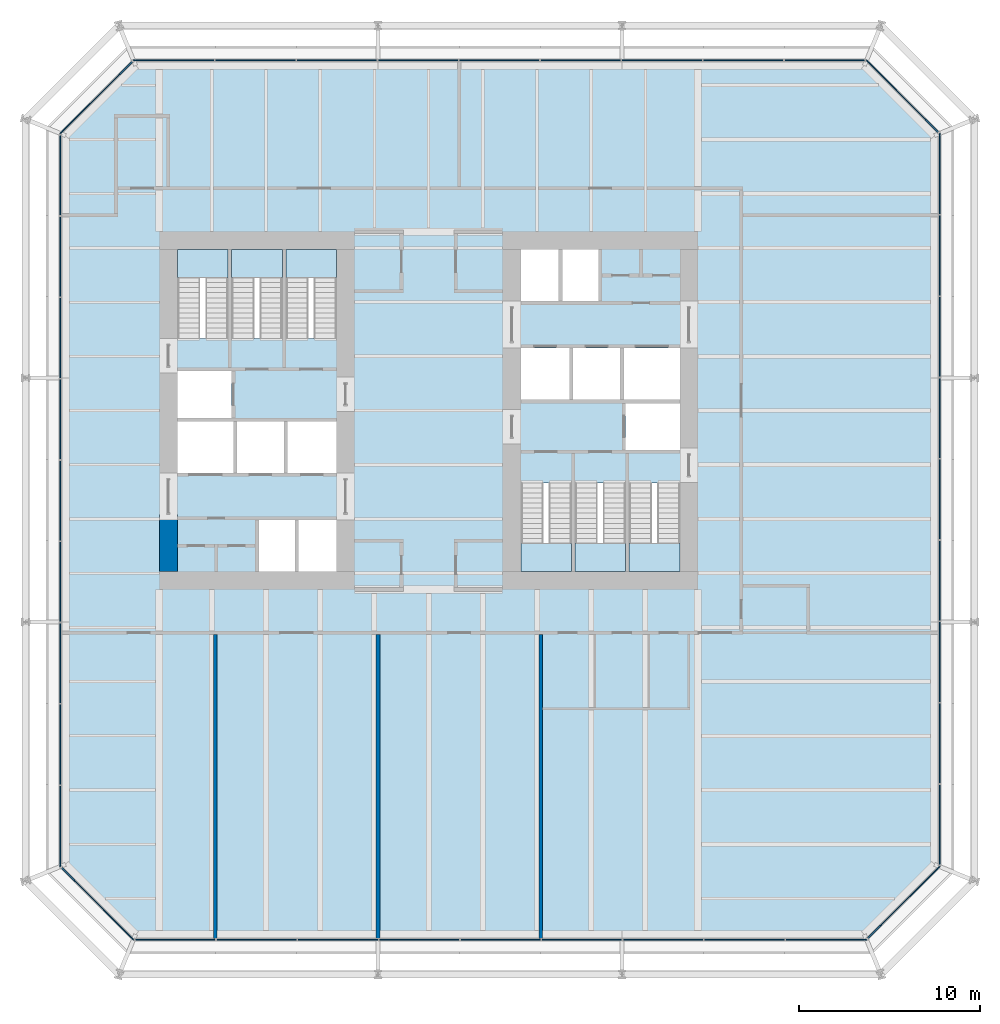
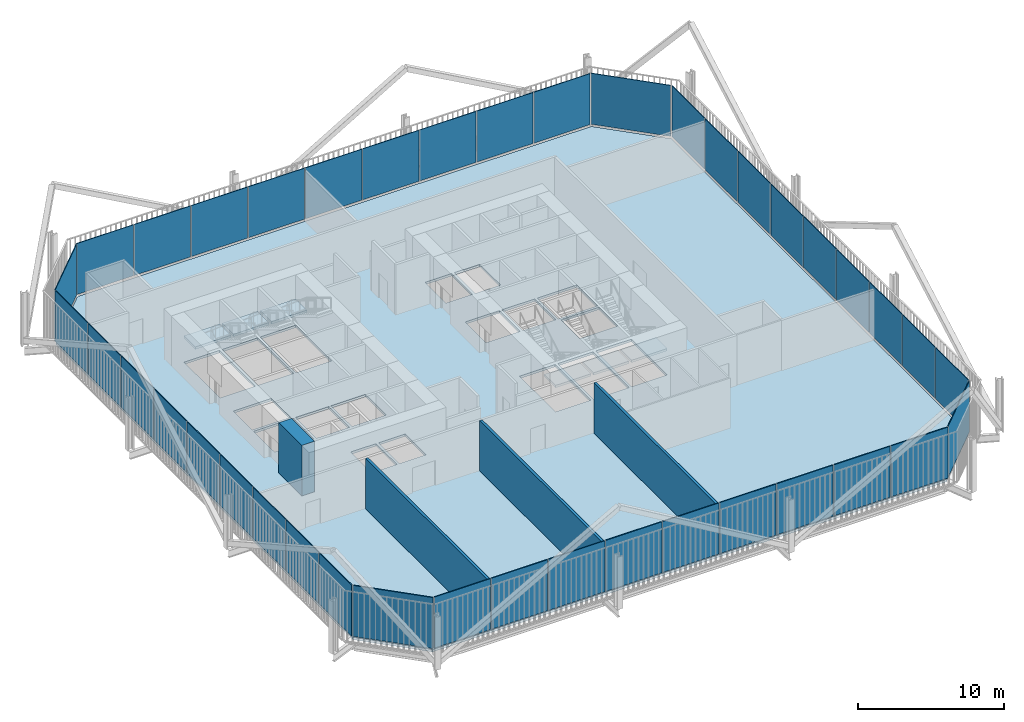
# One storey, part 16 of 21: 40 plates, 7 slabs, 4 walls, 14 elements without a shape of their own.
"""IFC4 building model written with IfcOpenShell, lengths in metres."""

from ifc_helpers import new_model, si_unit, direction, frame, frame_2d, origin, place, context, subcontext, project, spatial, polyline, rectangle, outline, extrude, material, layer, layer_set, type_object, element, aggregate, save


model = new_model("IFC4")

# Units and contexts
model_context = context("Model", 3, precision=1e-05, world=origin(), true_north=direction((0.0, 1.0)))
body_context = subcontext(model_context, "Body", "Model", "MODEL_VIEW")
ifc_project = project(units=[si_unit("LENGTHUNIT", "METRE"), si_unit("AREAUNIT", "SQUARE_METRE"), si_unit("VOLUMEUNIT", "CUBIC_METRE"), si_unit("PLANEANGLEUNIT", "RADIAN"), si_unit("MASSUNIT", "GRAM", prefix="KILO")], contexts=[model_context])

# Site, building, storey
site_placement = place(None, origin())
site = spatial("IfcSite", under=ifc_project, at=site_placement, CompositionType="ELEMENT")
building_placement = place(site_placement, origin())
building = spatial("IfcBuilding", under=site, at=building_placement, Name="Millrace Tower", CompositionType="ELEMENT")
storey_placement = place(building_placement, frame((0.0, 0.0, 104.0)))
storey = spatial("IfcBuildingStorey", under=building, at=storey_placement, Name="L23", CompositionType="ELEMENT", Elevation=104.0)

# Curtain wall, plate
ifc_material_1 = material(Name="Aluminium and glass", Category="aluminium")
ifc_layer_1 = layer(ifc_material_1, 0.14990234375)
ifc_layer_set_1 = layer_set([ifc_layer_1], Name="Aluminium and glass")
curtain_wall_type = type_object("IfcCurtainWallType", Name="CW-3 telecom floor curtain wall", PredefinedType="NOTDEFINED", material=ifc_layer_set_1)
placement_1 = place(storey_placement, origin())
curtain_wall_1 = element("IfcCurtainWall", 1, at=placement_1, inside=storey, type_object=curtain_wall_type, Name="Curtain wall B-F01 L23", PredefinedType="NOTDEFINED")
ifc_material_2 = material(Name="Glass", Category="glass")
ifc_layer_2 = layer(ifc_material_2, 0.06005859375)
ifc_layer_set_2 = layer_set([ifc_layer_2], Name="Glass")
plate_type = type_object("IfcPlateType", Name="CW-3 telecom floor curtain wall triple-glazed panel with spandrel", PredefinedType="CURTAIN_PANEL", material=ifc_layer_set_2)
placement_2 = place(storey_placement, frame((0.0, 0.0, 0.14990234375)))
plate_1 = element("IfcPlate", 2, at=placement_2, type_object=plate_type, Name="CW3 panel B-F01.1", PredefinedType="CURTAIN_PANEL", context=body_context, shape_type="SweptSolid", body=[
    extrude(outline(polyline([(-20.328369140625, -25.3203125), (-16.343505859375, -29.304931640625), (-16.318603515625, -29.2451171875), (-20.285888671875, -25.27783203125), (-20.328369140625, -25.3203125)])), origin(), (0.0, 0.0, 1.0), 4.25),
])
aggregate(curtain_wall_1, [plate_1])

# Curtain wall, plates
curtain_wall_2 = element("IfcCurtainWall", 3, at=placement_1, inside=storey, type_object=curtain_wall_type, Name="Curtain wall B-F02 L23", PredefinedType="NOTDEFINED")
plate_2 = element("IfcPlate", 4, at=placement_2, type_object=plate_type, Name="CW3 panel B-F02.1", PredefinedType="CURTAIN_PANEL", context=body_context, shape_type="SweptSolid", body=[
    extrude(outline(polyline([(-16.235107421875, -29.304931640625), (-11.800048828125, -29.304931640625), (-11.800048828125, -29.2451171875), (-16.235107421875, -29.2451171875), (-16.235107421875, -29.304931640625)])), origin(), (0.0, 0.0, 1.0), 4.25),
])
plate_3 = element("IfcPlate", 5, at=placement_2, type_object=plate_type, Name="CW3 panel B-F02.2", PredefinedType="CURTAIN_PANEL", context=body_context, shape_type="SweptSolid", body=[
    extrude(outline(polyline([(-11.735107421875, -29.304931640625), (-7.300048828125, -29.304931640625), (-7.300048828125, -29.2451171875), (-11.735107421875, -29.2451171875), (-11.735107421875, -29.304931640625)])), origin(), (0.0, 0.0, 1.0), 4.25),
])
plate_4 = element("IfcPlate", 6, at=placement_2, type_object=plate_type, Name="CW3 panel B-F02.3", PredefinedType="CURTAIN_PANEL", context=body_context, shape_type="SweptSolid", body=[
    extrude(outline(polyline([(-7.235107421875, -29.304931640625), (-2.800048828125, -29.304931640625), (-2.800048828125, -29.2451171875), (-7.235107421875, -29.2451171875), (-7.235107421875, -29.304931640625)])), origin(), (0.0, 0.0, 1.0), 4.25),
])
plate_5 = element("IfcPlate", 7, at=placement_2, type_object=plate_type, Name="CW3 panel B-F02.4", PredefinedType="CURTAIN_PANEL", context=body_context, shape_type="SweptSolid", body=[
    extrude(outline(polyline([(-2.735107421875, -29.304931640625), (1.699951171875, -29.304931640625), (1.699951171875, -29.2451171875), (-2.735107421875, -29.2451171875), (-2.735107421875, -29.304931640625)])), origin(), (0.0, 0.0, 1.0), 4.25),
])
plate_6 = element("IfcPlate", 8, at=placement_2, type_object=plate_type, Name="CW3 panel B-F02.5", PredefinedType="CURTAIN_PANEL", context=body_context, shape_type="SweptSolid", body=[
    extrude(outline(polyline([(1.764892578125, -29.304931640625), (6.199951171875, -29.304931640625), (6.199951171875, -29.2451171875), (1.764892578125, -29.2451171875), (1.764892578125, -29.304931640625)])), origin(), (0.0, 0.0, 1.0), 4.25),
])
plate_7 = element("IfcPlate", 9, at=placement_2, type_object=plate_type, Name="CW3 panel B-F02.6", PredefinedType="CURTAIN_PANEL", context=body_context, shape_type="SweptSolid", body=[
    extrude(outline(polyline([(6.264892578125, -29.304931640625), (10.699951171875, -29.304931640625), (10.699951171875, -29.2451171875), (6.264892578125, -29.2451171875), (6.264892578125, -29.304931640625)])), origin(), (0.0, 0.0, 1.0), 4.25),
])
plate_8 = element("IfcPlate", 10, at=placement_2, type_object=plate_type, Name="CW3 panel B-F02.7", PredefinedType="CURTAIN_PANEL", context=body_context, shape_type="SweptSolid", body=[
    extrude(outline(polyline([(10.764892578125, -29.304931640625), (15.199951171875, -29.304931640625), (15.199951171875, -29.2451171875), (10.764892578125, -29.2451171875), (10.764892578125, -29.304931640625)])), origin(), (0.0, 0.0, 1.0), 4.25),
])
plate_9 = element("IfcPlate", 11, at=placement_2, type_object=plate_type, Name="CW3 panel B-F02.8", PredefinedType="CURTAIN_PANEL", context=body_context, shape_type="SweptSolid", body=[
    extrude(outline(polyline([(15.264892578125, -29.304931640625), (19.699951171875, -29.304931640625), (19.699951171875, -29.2451171875), (15.264892578125, -29.2451171875), (15.264892578125, -29.304931640625)])), origin(), (0.0, 0.0, 1.0), 4.25),
])
plate_10 = element("IfcPlate", 12, at=placement_2, type_object=plate_type, Name="CW3 panel B-F02.9", PredefinedType="CURTAIN_PANEL", context=body_context, shape_type="SweptSolid", body=[
    extrude(outline(polyline([(19.764892578125, -29.304931640625), (24.243408203125, -29.304931640625), (24.21875, -29.2451171875), (19.764892578125, -29.2451171875), (19.764892578125, -29.304931640625)])), origin(), (0.0, 0.0, 1.0), 4.25),
])
aggregate(curtain_wall_2, [plate_2, plate_3, plate_4, plate_5, plate_6, plate_7, plate_8, plate_9, plate_10])

# Curtain wall, plate
curtain_wall_3 = element("IfcCurtainWall", 13, at=placement_1, inside=storey, type_object=curtain_wall_type, Name="Curtain wall B-F03 L23", PredefinedType="NOTDEFINED")
plate_11 = element("IfcPlate", 14, at=placement_2, type_object=plate_type, Name="CW3 panel B-F03.1", PredefinedType="CURTAIN_PANEL", context=body_context, shape_type="SweptSolid", body=[
    extrude(outline(polyline([(24.3203125, -29.228271484375), (28.304931640625, -25.243408203125), (28.2451171875, -25.21875), (24.27783203125, -29.185791015625), (24.3203125, -29.228271484375)])), origin(), (0.0, 0.0, 1.0), 4.25),
])
aggregate(curtain_wall_3, [plate_11])

# Curtain wall, plates
curtain_wall_4 = element("IfcCurtainWall", 15, at=placement_1, inside=storey, type_object=curtain_wall_type, Name="Curtain wall B-F04 L23", PredefinedType="NOTDEFINED")
plate_12 = element("IfcPlate", 16, at=placement_2, type_object=plate_type, Name="CW3 panel B-F04.1", PredefinedType="CURTAIN_PANEL", context=body_context, shape_type="SweptSolid", body=[
    extrude(outline(polyline([(28.304931640625, -25.135009765625), (28.304931640625, -20.699951171875), (28.2451171875, -20.699951171875), (28.2451171875, -25.135009765625), (28.304931640625, -25.135009765625)])), origin(), (0.0, 0.0, 1.0), 4.25),
])
plate_13 = element("IfcPlate", 17, at=placement_2, type_object=plate_type, Name="CW3 panel B-F04.2", PredefinedType="CURTAIN_PANEL", context=body_context, shape_type="SweptSolid", body=[
    extrude(outline(polyline([(28.304931640625, -20.635009765625), (28.304931640625, -16.199951171875), (28.2451171875, -16.199951171875), (28.2451171875, -20.635009765625), (28.304931640625, -20.635009765625)])), origin(), (0.0, 0.0, 1.0), 4.25),
])
plate_14 = element("IfcPlate", 18, at=placement_2, type_object=plate_type, Name="CW3 panel B-F04.3", PredefinedType="CURTAIN_PANEL", context=body_context, shape_type="SweptSolid", body=[
    extrude(outline(polyline([(28.304931640625, -16.135009765625), (28.304931640625, -11.699951171875), (28.2451171875, -11.699951171875), (28.2451171875, -16.135009765625), (28.304931640625, -16.135009765625)])), origin(), (0.0, 0.0, 1.0), 4.25),
])
plate_15 = element("IfcPlate", 19, at=placement_2, type_object=plate_type, Name="CW3 panel B-F04.4", PredefinedType="CURTAIN_PANEL", context=body_context, shape_type="SweptSolid", body=[
    extrude(outline(polyline([(28.304931640625, -11.635009765625), (28.304931640625, -7.199951171875), (28.2451171875, -7.199951171875), (28.2451171875, -11.635009765625), (28.304931640625, -11.635009765625)])), origin(), (0.0, 0.0, 1.0), 4.25),
])
plate_16 = element("IfcPlate", 20, at=placement_2, type_object=plate_type, Name="CW3 panel B-F04.5", PredefinedType="CURTAIN_PANEL", context=body_context, shape_type="SweptSolid", body=[
    extrude(outline(polyline([(28.304931640625, -7.135009765625), (28.304931640625, -2.699951171875), (28.2451171875, -2.699951171875), (28.2451171875, -7.135009765625), (28.304931640625, -7.135009765625)])), origin(), (0.0, 0.0, 1.0), 4.25),
])
plate_17 = element("IfcPlate", 21, at=placement_2, type_object=plate_type, Name="CW3 panel B-F04.6", PredefinedType="CURTAIN_PANEL", context=body_context, shape_type="SweptSolid", body=[
    extrude(outline(polyline([(28.304931640625, -2.635009765625), (28.304931640625, 1.800048828125), (28.2451171875, 1.800048828125), (28.2451171875, -2.635009765625), (28.304931640625, -2.635009765625)])), origin(), (0.0, 0.0, 1.0), 4.25),
])
plate_18 = element("IfcPlate", 22, at=placement_2, type_object=plate_type, Name="CW3 panel B-F04.7", PredefinedType="CURTAIN_PANEL", context=body_context, shape_type="SweptSolid", body=[
    extrude(outline(polyline([(28.304931640625, 1.864990234375), (28.304931640625, 6.300048828125), (28.2451171875, 6.300048828125), (28.2451171875, 1.864990234375), (28.304931640625, 1.864990234375)])), origin(), (0.0, 0.0, 1.0), 4.25),
])
plate_19 = element("IfcPlate", 23, at=placement_2, type_object=plate_type, Name="CW3 panel B-F04.8", PredefinedType="CURTAIN_PANEL", context=body_context, shape_type="SweptSolid", body=[
    extrude(outline(polyline([(28.304931640625, 6.364990234375), (28.304931640625, 10.800048828125), (28.2451171875, 10.800048828125), (28.2451171875, 6.364990234375), (28.304931640625, 6.364990234375)])), origin(), (0.0, 0.0, 1.0), 4.25),
])
plate_20 = element("IfcPlate", 24, at=placement_2, type_object=plate_type, Name="CW3 panel B-F04.9", PredefinedType="CURTAIN_PANEL", context=body_context, shape_type="SweptSolid", body=[
    extrude(outline(polyline([(28.304931640625, 10.864990234375), (28.304931640625, 15.343505859375), (28.2451171875, 15.318603515625), (28.2451171875, 10.864990234375), (28.304931640625, 10.864990234375)])), origin(), (0.0, 0.0, 1.0), 4.25),
])
aggregate(curtain_wall_4, [plate_12, plate_13, plate_14, plate_15, plate_16, plate_17, plate_18, plate_19, plate_20])

# Curtain wall, plate
curtain_wall_5 = element("IfcCurtainWall", 25, at=placement_1, inside=storey, type_object=curtain_wall_type, Name="Curtain wall B-F05 L23", PredefinedType="NOTDEFINED")
plate_21 = element("IfcPlate", 26, at=placement_2, type_object=plate_type, Name="CW3 panel B-F05.1", PredefinedType="CURTAIN_PANEL", context=body_context, shape_type="SweptSolid", body=[
    extrude(outline(polyline([(28.228271484375, 15.420166015625), (24.243408203125, 19.405029296875), (24.21875, 19.344970703125), (28.185791015625, 15.377685546875), (28.228271484375, 15.420166015625)])), origin(), (0.0, 0.0, 1.0), 4.25),
])
aggregate(curtain_wall_5, [plate_21])

# Curtain wall, plates
curtain_wall_6 = element("IfcCurtainWall", 27, at=placement_1, inside=storey, type_object=curtain_wall_type, Name="Curtain wall B-F06 L23", PredefinedType="NOTDEFINED")
plate_22 = element("IfcPlate", 28, at=placement_2, type_object=plate_type, Name="CW3 panel B-F06.1", PredefinedType="CURTAIN_PANEL", context=body_context, shape_type="SweptSolid", body=[
    extrude(outline(polyline([(24.135009765625, 19.405029296875), (19.699951171875, 19.405029296875), (19.699951171875, 19.344970703125), (24.135009765625, 19.344970703125), (24.135009765625, 19.405029296875)])), origin(), (0.0, 0.0, 1.0), 4.25),
])
plate_23 = element("IfcPlate", 29, at=placement_2, type_object=plate_type, Name="CW3 panel B-F06.2", PredefinedType="CURTAIN_PANEL", context=body_context, shape_type="SweptSolid", body=[
    extrude(outline(polyline([(19.635009765625, 19.405029296875), (15.199951171875, 19.405029296875), (15.199951171875, 19.344970703125), (19.635009765625, 19.344970703125), (19.635009765625, 19.405029296875)])), origin(), (0.0, 0.0, 1.0), 4.25),
])
plate_24 = element("IfcPlate", 30, at=placement_2, type_object=plate_type, Name="CW3 panel B-F06.3", PredefinedType="CURTAIN_PANEL", context=body_context, shape_type="SweptSolid", body=[
    extrude(outline(polyline([(15.135009765625, 19.405029296875), (10.699951171875, 19.405029296875), (10.699951171875, 19.344970703125), (15.135009765625, 19.344970703125), (15.135009765625, 19.405029296875)])), origin(), (0.0, 0.0, 1.0), 4.25),
])
plate_25 = element("IfcPlate", 31, at=placement_2, type_object=plate_type, Name="CW3 panel B-F06.4", PredefinedType="CURTAIN_PANEL", context=body_context, shape_type="SweptSolid", body=[
    extrude(outline(polyline([(10.635009765625, 19.405029296875), (6.199951171875, 19.405029296875), (6.199951171875, 19.344970703125), (10.635009765625, 19.344970703125), (10.635009765625, 19.405029296875)])), origin(), (0.0, 0.0, 1.0), 4.25),
])
plate_26 = element("IfcPlate", 32, at=placement_2, type_object=plate_type, Name="CW3 panel B-F06.5", PredefinedType="CURTAIN_PANEL", context=body_context, shape_type="SweptSolid", body=[
    extrude(outline(polyline([(6.135009765625, 19.405029296875), (1.699951171875, 19.405029296875), (1.699951171875, 19.344970703125), (6.135009765625, 19.344970703125), (6.135009765625, 19.405029296875)])), origin(), (0.0, 0.0, 1.0), 4.25),
])
plate_27 = element("IfcPlate", 33, at=placement_2, type_object=plate_type, Name="CW3 panel B-F06.6", PredefinedType="CURTAIN_PANEL", context=body_context, shape_type="SweptSolid", body=[
    extrude(outline(polyline([(1.635009765625, 19.405029296875), (-2.800048828125, 19.405029296875), (-2.800048828125, 19.344970703125), (1.635009765625, 19.344970703125), (1.635009765625, 19.405029296875)])), origin(), (0.0, 0.0, 1.0), 4.25),
])
plate_28 = element("IfcPlate", 34, at=placement_2, type_object=plate_type, Name="CW3 panel B-F06.7", PredefinedType="CURTAIN_PANEL", context=body_context, shape_type="SweptSolid", body=[
    extrude(outline(polyline([(-2.864990234375, 19.405029296875), (-7.300048828125, 19.405029296875), (-7.300048828125, 19.344970703125), (-2.864990234375, 19.344970703125), (-2.864990234375, 19.405029296875)])), origin(), (0.0, 0.0, 1.0), 4.25),
])
plate_29 = element("IfcPlate", 35, at=placement_2, type_object=plate_type, Name="CW3 panel B-F06.8", PredefinedType="CURTAIN_PANEL", context=body_context, shape_type="SweptSolid", body=[
    extrude(outline(polyline([(-7.364990234375, 19.405029296875), (-11.800048828125, 19.405029296875), (-11.800048828125, 19.344970703125), (-7.364990234375, 19.344970703125), (-7.364990234375, 19.405029296875)])), origin(), (0.0, 0.0, 1.0), 4.25),
])
plate_30 = element("IfcPlate", 36, at=placement_2, type_object=plate_type, Name="CW3 panel B-F06.9", PredefinedType="CURTAIN_PANEL", context=body_context, shape_type="SweptSolid", body=[
    extrude(outline(polyline([(-11.864990234375, 19.405029296875), (-16.343505859375, 19.405029296875), (-16.318603515625, 19.344970703125), (-11.864990234375, 19.344970703125), (-11.864990234375, 19.405029296875)])), origin(), (0.0, 0.0, 1.0), 4.25),
])
aggregate(curtain_wall_6, [plate_22, plate_23, plate_24, plate_25, plate_26, plate_27, plate_28, plate_29, plate_30])

# Curtain wall, plate
curtain_wall_7 = element("IfcCurtainWall", 37, at=placement_1, inside=storey, type_object=curtain_wall_type, Name="Curtain wall B-F07 L23", PredefinedType="NOTDEFINED")
plate_31 = element("IfcPlate", 38, at=placement_2, type_object=plate_type, Name="CW3 panel B-F07.1", PredefinedType="CURTAIN_PANEL", context=body_context, shape_type="SweptSolid", body=[
    extrude(outline(polyline([(-16.420166015625, 19.328369140625), (-20.405029296875, 15.343505859375), (-20.344970703125, 15.318603515625), (-16.377685546875, 19.285888671875), (-16.420166015625, 19.328369140625)])), origin(), (0.0, 0.0, 1.0), 4.25),
])
aggregate(curtain_wall_7, [plate_31])

# Curtain wall, plates
curtain_wall_8 = element("IfcCurtainWall", 39, at=placement_1, inside=storey, type_object=curtain_wall_type, Name="Curtain wall B-F08 L23", PredefinedType="NOTDEFINED")
plate_32 = element("IfcPlate", 40, at=placement_2, type_object=plate_type, Name="CW3 panel B-F08.1", PredefinedType="CURTAIN_PANEL", context=body_context, shape_type="SweptSolid", body=[
    extrude(outline(polyline([(-20.405029296875, 15.235107421875), (-20.405029296875, 10.800048828125), (-20.344970703125, 10.800048828125), (-20.344970703125, 15.235107421875), (-20.405029296875, 15.235107421875)])), origin(), (0.0, 0.0, 1.0), 4.25),
])
plate_33 = element("IfcPlate", 41, at=placement_2, type_object=plate_type, Name="CW3 panel B-F08.2", PredefinedType="CURTAIN_PANEL", context=body_context, shape_type="SweptSolid", body=[
    extrude(outline(polyline([(-20.405029296875, 10.735107421875), (-20.405029296875, 6.300048828125), (-20.344970703125, 6.300048828125), (-20.344970703125, 10.735107421875), (-20.405029296875, 10.735107421875)])), origin(), (0.0, 0.0, 1.0), 4.25),
])
plate_34 = element("IfcPlate", 42, at=placement_2, type_object=plate_type, Name="CW3 panel B-F08.3", PredefinedType="CURTAIN_PANEL", context=body_context, shape_type="SweptSolid", body=[
    extrude(outline(polyline([(-20.405029296875, 6.235107421875), (-20.405029296875, 1.800048828125), (-20.344970703125, 1.800048828125), (-20.344970703125, 6.235107421875), (-20.405029296875, 6.235107421875)])), origin(), (0.0, 0.0, 1.0), 4.25),
])
plate_35 = element("IfcPlate", 43, at=placement_2, type_object=plate_type, Name="CW3 panel B-F08.4", PredefinedType="CURTAIN_PANEL", context=body_context, shape_type="SweptSolid", body=[
    extrude(outline(polyline([(-20.405029296875, 1.735107421875), (-20.405029296875, -2.699951171875), (-20.344970703125, -2.699951171875), (-20.344970703125, 1.735107421875), (-20.405029296875, 1.735107421875)])), origin(), (0.0, 0.0, 1.0), 4.25),
])
plate_36 = element("IfcPlate", 44, at=placement_2, type_object=plate_type, Name="CW3 panel B-F08.5", PredefinedType="CURTAIN_PANEL", context=body_context, shape_type="SweptSolid", body=[
    extrude(outline(polyline([(-20.405029296875, -2.764892578125), (-20.405029296875, -7.199951171875), (-20.344970703125, -7.199951171875), (-20.344970703125, -2.764892578125), (-20.405029296875, -2.764892578125)])), origin(), (0.0, 0.0, 1.0), 4.25),
])
plate_37 = element("IfcPlate", 45, at=placement_2, type_object=plate_type, Name="CW3 panel B-F08.6", PredefinedType="CURTAIN_PANEL", context=body_context, shape_type="SweptSolid", body=[
    extrude(outline(polyline([(-20.405029296875, -7.264892578125), (-20.405029296875, -11.699951171875), (-20.344970703125, -11.699951171875), (-20.344970703125, -7.264892578125), (-20.405029296875, -7.264892578125)])), origin(), (0.0, 0.0, 1.0), 4.25),
])
plate_38 = element("IfcPlate", 46, at=placement_2, type_object=plate_type, Name="CW3 panel B-F08.7", PredefinedType="CURTAIN_PANEL", context=body_context, shape_type="SweptSolid", body=[
    extrude(outline(polyline([(-20.405029296875, -11.764892578125), (-20.405029296875, -16.199951171875), (-20.344970703125, -16.199951171875), (-20.344970703125, -11.764892578125), (-20.405029296875, -11.764892578125)])), origin(), (0.0, 0.0, 1.0), 4.25),
])
plate_39 = element("IfcPlate", 47, at=placement_2, type_object=plate_type, Name="CW3 panel B-F08.8", PredefinedType="CURTAIN_PANEL", context=body_context, shape_type="SweptSolid", body=[
    extrude(outline(polyline([(-20.405029296875, -16.264892578125), (-20.405029296875, -20.699951171875), (-20.344970703125, -20.699951171875), (-20.344970703125, -16.264892578125), (-20.405029296875, -16.264892578125)])), origin(), (0.0, 0.0, 1.0), 4.25),
])
plate_40 = element("IfcPlate", 48, at=placement_2, type_object=plate_type, Name="CW3 panel B-F08.9", PredefinedType="CURTAIN_PANEL", context=body_context, shape_type="SweptSolid", body=[
    extrude(outline(polyline([(-20.405029296875, -20.764892578125), (-20.405029296875, -25.243408203125), (-20.344970703125, -25.21875), (-20.344970703125, -20.764892578125), (-20.405029296875, -20.764892578125)])), origin(), (0.0, 0.0, 1.0), 4.25),
])
aggregate(curtain_wall_8, [plate_32, plate_33, plate_34, plate_35, plate_36, plate_37, plate_38, plate_39, plate_40])

# Slab
ifc_material_3 = material(Name="Concrete C35 on steel deck", Category="concrete")
ifc_layer_3 = layer(ifc_material_3, 0.199951171875)
ifc_layer_set_3 = layer_set([ifc_layer_3], Name="Concrete C35 on steel deck")
slab_type_1 = type_object("IfcSlabType", Name="Composite floor slab 200 mm", PredefinedType="FLOOR", material=ifc_layer_set_3)
slab_1_placement = place(storey_placement, frame((0.0, 0.0, -0.199951171875)))
element("IfcSlab", 49, at=slab_1_placement, inside=storey, type_object=slab_type_1, Name="SL-B-L23-S1", PredefinedType="FLOOR", context=body_context, shape_type="SweptSolid", body=[
    extrude(outline(polyline([(-20.300048828125, -25.199951171875), (-16.300048828125, -29.199951171875), (24.199951171875, -29.199951171875), (28.199951171875, -25.199951171875), (28.199951171875, 15.300048828125), (24.199951171875, 19.300048828125), (-16.300048828125, 19.300048828125), (-20.300048828125, 15.300048828125), (-20.300048828125, -25.199951171875)]), holes=[polyline([(-9.39990234375, -8.89990234375), (-7.39990234375, -8.89990234375), (-7.39990234375, -6.050048828125), (-9.39990234375, -6.050048828125), (-9.39990234375, -8.89990234375)]), polyline([(-7.199951171875, -8.89990234375), (-5.10009765625, -8.89990234375), (-5.10009765625, -6.050048828125), (-7.199951171875, -6.050048828125), (-7.199951171875, -8.89990234375)]), polyline([(-13.89990234375, -3.449951171875), (-10.800048828125, -3.449951171875), (-10.800048828125, -0.60009765625), (-13.89990234375, -0.60009765625), (-13.89990234375, -3.449951171875)]), polyline([(-10.60009765625, -3.449951171875), (-8.0, -3.449951171875), (-8.0, -0.60009765625), (-10.60009765625, -0.60009765625), (-10.60009765625, -3.449951171875)]), polyline([(-7.800048828125, -3.449951171875), (-5.10009765625, -3.449951171875), (-5.10009765625, -0.60009765625), (-7.800048828125, -0.60009765625), (-7.800048828125, -3.449951171875)]), polyline([(-13.89990234375, -0.39990234375), (-10.89990234375, -0.39990234375), (-10.89990234375, 2.179931640625), (-13.89990234375, 2.179931640625), (-13.89990234375, -0.39990234375)]), polyline([(-13.89990234375, 4.0), (-11.10009765625, 4.0), (-11.10009765625, 8.89990234375), (-13.89990234375, 8.89990234375), (-13.89990234375, 4.0)]), polyline([(-10.89990234375, 4.0), (-8.10009765625, 4.0), (-8.10009765625, 8.89990234375), (-10.89990234375, 8.89990234375), (-10.89990234375, 4.0)]), polyline([(-7.89990234375, 4.0), (-5.10009765625, 4.0), (-5.10009765625, 8.89990234375), (-7.89990234375, 8.89990234375), (-7.89990234375, 4.0)]), polyline([(7.39990234375, 6.050048828125), (9.39990234375, 6.050048828125), (9.39990234375, 8.89990234375), (7.39990234375, 8.89990234375), (7.39990234375, 6.050048828125)]), polyline([(5.10009765625, 6.050048828125), (7.199951171875, 6.050048828125), (7.199951171875, 8.89990234375), (5.10009765625, 8.89990234375), (5.10009765625, 6.050048828125)]), polyline([(10.800048828125, 0.60009765625), (13.89990234375, 0.60009765625), (13.89990234375, 3.449951171875), (10.800048828125, 3.449951171875), (10.800048828125, 0.60009765625)]), polyline([(8.0, 0.60009765625), (10.60009765625, 0.60009765625), (10.60009765625, 3.449951171875), (8.0, 3.449951171875), (8.0, 0.60009765625)]), polyline([(5.10009765625, 0.60009765625), (7.800048828125, 0.60009765625), (7.800048828125, 3.449951171875), (5.10009765625, 3.449951171875), (5.10009765625, 0.60009765625)]), polyline([(10.89990234375, -2.179931640625), (13.89990234375, -2.179931640625), (13.89990234375, 0.39990234375), (10.89990234375, 0.39990234375), (10.89990234375, -2.179931640625)]), polyline([(11.10009765625, -8.89990234375), (13.89990234375, -8.89990234375), (13.89990234375, -4.0), (11.10009765625, -4.0), (11.10009765625, -8.89990234375)]), polyline([(8.10009765625, -8.89990234375), (10.89990234375, -8.89990234375), (10.89990234375, -4.0), (8.10009765625, -4.0), (8.10009765625, -8.89990234375)]), polyline([(5.10009765625, -8.89990234375), (7.89990234375, -8.89990234375), (7.89990234375, -4.0), (5.10009765625, -4.0), (5.10009765625, -8.89990234375)])]), origin(), (0.0, 0.0, 1.0), 0.199951171875),
])

# Stair, slab
ifc_material_4 = material(Name="Concrete C35", Category="concrete")
stair_type = type_object("IfcStairType", Name="Exit stair", PredefinedType="HALF_TURN_STAIR", material=ifc_material_4)
stair_1 = element("IfcStair", 50, at=placement_1, inside=storey, type_object=stair_type, Name="Stair 1 W L23", PredefinedType="HALF_TURN_STAIR")
ifc_material_5 = material(Name="Concrete C40", Category="concrete")
ifc_layer_4 = layer(ifc_material_5, 0.199951171875)
ifc_layer_set_4 = layer_set([ifc_layer_4], Name="Concrete C40")
slab_type_2 = type_object("IfcSlabType", Name="Stair landing", PredefinedType="LANDING", material=ifc_layer_set_4)
placement_3 = place(storey_placement, frame((0.0, 0.0, 2.0)))
slab_2 = element("IfcSlab", 51, at=placement_3, type_object=slab_type_2, Name="ST12 landing 1", PredefinedType="LANDING", context=body_context, shape_type="SweptSolid", body=[
    extrude(outline(polyline([(-13.89990234375, 7.360107421875), (-11.10009765625, 7.360107421875), (-11.10009765625, 8.89990234375), (-13.89990234375, 8.89990234375), (-13.89990234375, 7.360107421875)])), origin(), (0.0, 0.0, 1.0), 0.199951171875),
])
aggregate(stair_1, [slab_2])

stair_2 = element("IfcStair", 52, at=placement_1, inside=storey, type_object=stair_type, Name="Stair 2 W L23", PredefinedType="HALF_TURN_STAIR")
slab_3 = element("IfcSlab", 53, at=placement_3, type_object=slab_type_2, Name="ST12 landing 1", PredefinedType="LANDING", context=body_context, shape_type="SweptSolid", body=[
    extrude(outline(polyline([(-10.89990234375, 7.360107421875), (-8.10009765625, 7.360107421875), (-8.10009765625, 8.89990234375), (-10.89990234375, 8.89990234375), (-10.89990234375, 7.360107421875)])), origin(), (0.0, 0.0, 1.0), 0.199951171875),
])
aggregate(stair_2, [slab_3])

stair_3 = element("IfcStair", 54, at=placement_1, inside=storey, type_object=stair_type, Name="Stair 3 W L23", PredefinedType="HALF_TURN_STAIR")
slab_4 = element("IfcSlab", 55, at=placement_3, type_object=slab_type_2, Name="ST12 landing 1", PredefinedType="LANDING", context=body_context, shape_type="SweptSolid", body=[
    extrude(outline(polyline([(-7.89990234375, 7.360107421875), (-5.10009765625, 7.360107421875), (-5.10009765625, 8.89990234375), (-7.89990234375, 8.89990234375), (-7.89990234375, 7.360107421875)])), origin(), (0.0, 0.0, 1.0), 0.199951171875),
])
aggregate(stair_3, [slab_4])

stair_4 = element("IfcStair", 56, at=placement_1, inside=storey, type_object=stair_type, Name="Stair 1 E L23", PredefinedType="HALF_TURN_STAIR")
slab_5 = element("IfcSlab", 57, at=placement_3, type_object=slab_type_2, Name="ST12 landing 1", PredefinedType="LANDING", context=body_context, shape_type="SweptSolid", body=[
    extrude(outline(polyline([(11.10009765625, -8.89990234375), (13.89990234375, -8.89990234375), (13.89990234375, -7.360107421875), (11.10009765625, -7.360107421875), (11.10009765625, -8.89990234375)])), origin(), (0.0, 0.0, 1.0), 0.199951171875),
])
aggregate(stair_4, [slab_5])

stair_5 = element("IfcStair", 58, at=placement_1, inside=storey, type_object=stair_type, Name="Stair 2 E L23", PredefinedType="HALF_TURN_STAIR")
slab_6 = element("IfcSlab", 59, at=placement_3, type_object=slab_type_2, Name="ST12 landing 1", PredefinedType="LANDING", context=body_context, shape_type="SweptSolid", body=[
    extrude(outline(polyline([(8.10009765625, -8.89990234375), (10.89990234375, -8.89990234375), (10.89990234375, -7.360107421875), (8.10009765625, -7.360107421875), (8.10009765625, -8.89990234375)])), origin(), (0.0, 0.0, 1.0), 0.199951171875),
])
aggregate(stair_5, [slab_6])

stair_6 = element("IfcStair", 60, at=placement_1, inside=storey, type_object=stair_type, Name="Stair 3 E L23", PredefinedType="HALF_TURN_STAIR")
slab_7 = element("IfcSlab", 61, at=placement_3, type_object=slab_type_2, Name="ST12 landing 1", PredefinedType="LANDING", context=body_context, shape_type="SweptSolid", body=[
    extrude(outline(polyline([(5.10009765625, -8.89990234375), (7.89990234375, -8.89990234375), (7.89990234375, -7.360107421875), (5.10009765625, -7.360107421875), (5.10009765625, -8.89990234375)])), origin(), (0.0, 0.0, 1.0), 0.199951171875),
])
aggregate(stair_6, [slab_7])

# Walls
ifc_material_6 = material(Name="Concrete C80", Category="concrete")
ifc_layer_5 = layer(ifc_material_6, 1.0)
ifc_layer_set_5 = layer_set([ifc_layer_5], Name="Concrete C80")
wall_type_1 = type_object("IfcWallType", Name="Core wall 1000 Concrete C80", PredefinedType="SHEAR", material=ifc_layer_set_5)
wall_placement = place(storey_placement, frame((-14.39990234375, -8.89990234375, 0.0), z_axis=(0.0, 0.0, 1.0), x_axis=(0.0, 1.0, 0.0)))
element("IfcWall", 62, at=wall_placement, inside=storey, type_object=wall_type_1, Name="Core wall W L23", PredefinedType="SHEAR", context=body_context, shape_type="SweptSolid", body=[
    extrude(rectangle(XDim=3.14990234375, YDim=1.0, at=frame_2d((1.574951171875, 0.0))), origin(), (0.0, 0.0, 1.0), 4.199951171875),
])
ifc_material_7 = material(Name="Masonry partition, fire-rated", Category="masonry")
ifc_layer_6 = layer(ifc_material_7, 0.199951171875)
ifc_layer_set_6 = layer_set([ifc_layer_6], Name="Masonry partition, fire-rated")
wall_type_2 = type_object("IfcWallType", Name="Corridor wall 200", PredefinedType="PARTITIONING", material=ifc_layer_set_6)
for number, where, z_axis, x_axis, name in (
    (63, (6.199951171875, -29.22998046875, 0.0), (0.0, 0.0, 1.0), (0.0, 1.0, 0.0), "Corridor wall L23"),
    (64, (-2.800048828125, -29.22998046875, 0.0), (0.0, 0.0, 1.0), (0.0, 1.0, 0.0), "Corridor wall L23"),
    (65, (-11.800048828125, -29.22998046875, 0.0), (0.0, 0.0, 1.0), (0.0, 1.0, 0.0), "Corridor wall L23"),
):
    element("IfcWall", number, at=place(storey_placement, frame(where, z_axis=z_axis, x_axis=x_axis)), inside=storey, type_object=wall_type_2, Name=name, PredefinedType="PARTITIONING", context=body_context, shape_type="SweptSolid", body=[
        extrude(rectangle(XDim=16.830078125, YDim=0.199951171875, at=frame_2d((8.4150390625, 0.0))), origin(), (0.0, 0.0, 1.0), 4.199951171875),
    ])

save(model, "model.ifc")
